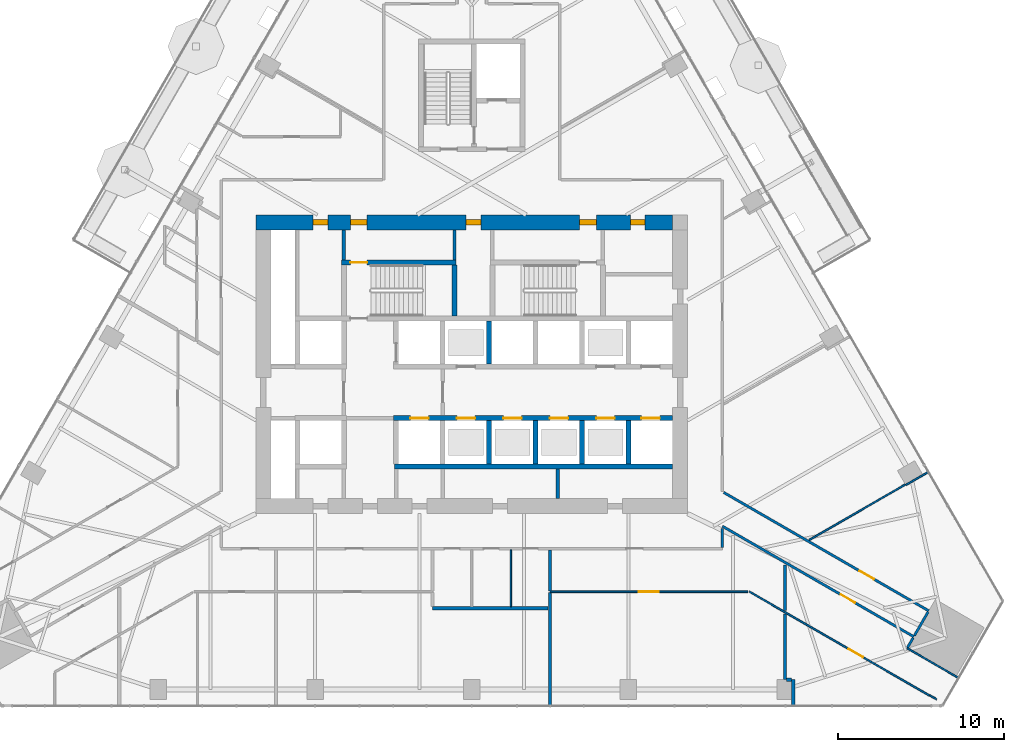
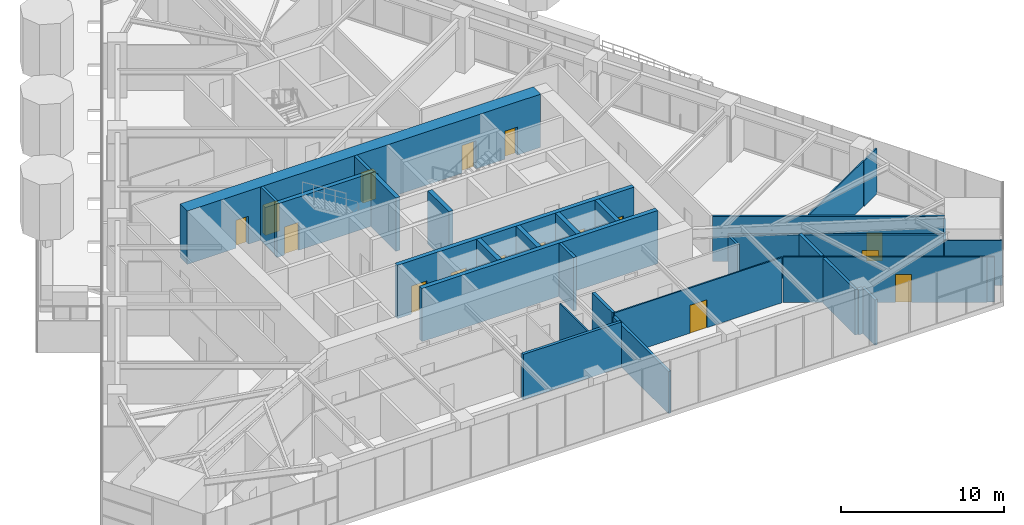
# One storey, part 18 of 25: 32 walls, 16 doors, 16 openings.
"""IFC4 building model written with IfcOpenShell, lengths in metres."""

import ifcopenshell
import ifcopenshell.guid

model = None  # the IFC model being written
_history = None  # IfcOwnerHistory: only IFC2X3 demands one
_inside = {}  # id of a spatial element -> (the spatial element, [elements in it])
_under = {}  # id of a project, library or spatial element -> (it, [spatial elements below it])
_declared = {}  # id of a project -> (the project, [libraries it declares])
_typed = {}  # id of a type object -> (the type object, [elements of that type])
_made_of = {}  # id of a material, layer set ... -> (it, [elements and type objects made of it])


def new_model(schema):
    """Start an empty IFC model of exactly this schema.

    Asked for "IFC4X3", IfcOpenShell would pick the latest addendum, in which some entities
    have other attributes; the version numbers below select the first issue.
    IFC2X3 requires an IfcOwnerHistory on every rooted entity: one is made here for all.
    """
    global model, _history
    if schema == "IFC4X3":
        model = ifcopenshell.file(schema_version=(4, 3, 0, 0))
    else:
        model = ifcopenshell.file(schema=schema)
    _inside.clear()
    _under.clear()
    _declared.clear()
    _typed.clear()
    _made_of.clear()
    _history = None
    if model.schema == "IFC2X3":
        org = make("IfcOrganization", Name="unknown")
        user = make(
            "IfcPersonAndOrganization",
            ThePerson=make("IfcPerson", FamilyName="unknown"),
            TheOrganization=org,
        )
        app = make(
            "IfcApplication",
            ApplicationDeveloper=org,
            Version="unknown",
            ApplicationFullName="unknown",
            ApplicationIdentifier="unknown",
        )
        _history = make(
            "IfcOwnerHistory",
            OwningUser=user,
            OwningApplication=app,
            ChangeAction="ADDED",
            CreationDate=0,
        )
    return model


def make(cls, **values):
    """One entity of the class cls with the attributes given. An attribute that is None is left unset."""
    return model.create_entity(
        cls, **{name: value for name, value in values.items() if value is not None}
    )


def rooted(cls, **values):
    """An entity with a GlobalId (a new one), such as an element, a storey or a relation."""
    return make(cls, GlobalId=ifcopenshell.guid.new(), OwnerHistory=_history, **values)


def si_unit(unit_type, name, prefix=None):
    """IfcSIUnit, for example si_unit("LENGTHUNIT", "METRE", prefix="MILLI")."""
    return make("IfcSIUnit", UnitType=unit_type, Prefix=prefix, Name=name)


def assignment(units):
    """IfcUnitAssignment: the units of a project."""
    return None if units is None else make("IfcUnitAssignment", Units=units)


def point(xyz):
    """IfcCartesianPoint."""
    return None if xyz is None else make("IfcCartesianPoint", Coordinates=xyz)


def direction(xyz):
    """IfcDirection."""
    return None if xyz is None else make("IfcDirection", DirectionRatios=xyz)


def frame(location, z_axis=None, x_axis=None):
    """IfcAxis2Placement3D, a coordinate frame: its origin and axes. An axis left out is left unset."""
    return make(
        "IfcAxis2Placement3D",
        Location=point(location),
        Axis=direction(z_axis),
        RefDirection=direction(x_axis),
    )


def frame_2d(location, x_axis=None):
    """IfcAxis2Placement2D, a coordinate frame in the plane: its origin and x axis."""
    return make(
        "IfcAxis2Placement2D", Location=point(location), RefDirection=direction(x_axis)
    )


def origin():
    """The frame at (0, 0, 0) with its axes left unset."""
    return frame((0.0, 0.0, 0.0))


def place(relative_to, where):
    """IfcLocalPlacement: puts the frame where relative to a parent placement (None: the world)."""
    return make(
        "IfcLocalPlacement", PlacementRelTo=relative_to, RelativePlacement=where
    )


def context(
    kind, dimensions, precision=None, world=None, true_north=None, identifier=None
):
    """IfcGeometricRepresentationContext, for example the 3D "Model" context."""
    return make(
        "IfcGeometricRepresentationContext",
        ContextIdentifier=identifier,
        ContextType=kind,
        CoordinateSpaceDimension=dimensions,
        Precision=precision,
        WorldCoordinateSystem=world,
        TrueNorth=true_north,
    )


def subcontext(parent, identifier, kind, view, scale=None):
    """IfcGeometricRepresentationSubContext, for example "Body" below "Model"."""
    return make(
        "IfcGeometricRepresentationSubContext",
        ContextIdentifier=identifier,
        ContextType=kind,
        ParentContext=parent,
        TargetScale=scale,
        TargetView=view,
    )


def project(units=None, contexts=None):
    """IfcProject with its units and contexts."""
    return rooted(
        "IfcProject",
        Name="project",
        RepresentationContexts=contexts,
        UnitsInContext=assignment(units),
    )


def spatial(cls, under=None, at=None, **own):
    """A site, building, storey or space (cls), placed at a placement, below another one or the project."""
    s = rooted(cls, ObjectPlacement=at, **own)
    if under is not None:
        _under.setdefault(under.id(), (under, []))[1].append(s)
    return s


def profile(cls, at=None, kind="AREA", **sizes):
    """A parametric profile (cls). Its sizes go by their IFC names, for example OverallWidth=200.0."""
    return make(cls, ProfileType=kind, Position=at, **sizes)


def rectangle(**sizes):
    """IfcRectangleProfileDef."""
    return profile("IfcRectangleProfileDef", **sizes)


def extrude(swept, where, along, depth):
    """IfcExtrudedAreaSolid: the profile swept, set in the frame where, extruded along a direction by depth."""
    return make(
        "IfcExtrudedAreaSolid",
        SweptArea=swept,
        Position=where,
        ExtrudedDirection=direction(along),
        Depth=depth,
    )


def shape(context_of_items, identifier, shape_type, items):
    """IfcShapeRepresentation: the items that make up one representation, for example the "Body"."""
    return make(
        "IfcShapeRepresentation",
        ContextOfItems=context_of_items,
        RepresentationIdentifier=identifier,
        RepresentationType=shape_type,
        Items=items,
    )


def material(Name=None, Category=None):
    """IfcMaterial."""
    return make("IfcMaterial", Name=Name, Category=Category)


def layer(
    of_material, thickness, ventilated=None, Name=None, Category=None, Priority=None
):
    """IfcMaterialLayer: one layer of a wall or slab, of a material (None: an air gap)."""
    return make(
        "IfcMaterialLayer",
        Material=of_material,
        LayerThickness=thickness,
        IsVentilated=ventilated,
        Name=Name,
        Category=Category,
        Priority=Priority,
    )


def layer_set(layers, Name=None):
    """IfcMaterialLayerSet."""
    return make("IfcMaterialLayerSet", MaterialLayers=layers, LayerSetName=Name)


def made_of(thing, what):
    """Note that an element or type object is made of a material, layer set ...; save() writes the relation."""
    if what is not None:
        _made_of.setdefault(what.id(), (what, []))[1].append(thing)
    return thing


def type_object(cls, material=None, **own):
    """A type object (cls), such as IfcWallType, which elements share."""
    return made_of(rooted(cls, **own), material)


def element(
    cls,
    number,
    at=None,
    inside=None,
    cuts=None,
    type_object=None,
    material=None,
    context=None,
    identifier="Body",
    shape_type=None,
    held_by="IfcProductDefinitionShape",
    body=None,
    shapes=None,
    **own,
):
    """One element of the class cls, such as IfcWall. Its Tag is "e" and its number.

    at: its placement. inside: the storey or other place that contains it. cuts: it is an
    opening in that element (IfcRelVoidsElement). A single representation is given by context,
    identifier, shape_type and body (its items); several are given by shapes. held_by: the class
    of the entity that holds the representations. save() writes the other relations.
    """
    e = rooted(cls, Tag="e%d" % number, ObjectPlacement=at, **own)
    if body is not None:
        shapes = [shape(context, identifier, shape_type, body)]
    if shapes is not None:
        e.Representation = make(held_by, Representations=shapes)
    if inside is not None:
        _inside.setdefault(inside.id(), (inside, []))[1].append(e)
    if cuts is not None:
        rooted(
            "IfcRelVoidsElement", RelatingBuildingElement=cuts, RelatedOpeningElement=e
        )
    if type_object is not None:
        _typed.setdefault(type_object.id(), (type_object, []))[1].append(e)
    return made_of(e, material)


def fill(opening, filler):
    """IfcRelFillsElement: the door or window that sits in an opening."""
    return rooted(
        "IfcRelFillsElement",
        RelatingOpeningElement=opening,
        RelatedBuildingElement=filler,
    )


def aggregate(whole, parts):
    """IfcRelAggregates: a whole, such as a stair, and the parts it consists of."""
    return rooted("IfcRelAggregates", RelatingObject=whole, RelatedObjects=parts)


def save(model, path):
    """Write the relations noted so far, then the file.

    IfcRelAggregates (storeys below a building ...), IfcRelContainedInSpatialStructure (elements
    in a storey), IfcRelDefinesByType, IfcRelAssociatesMaterial and IfcRelDeclares: one each for
    every whole, place, type object, material and project.
    """
    for whole, parts in _under.values():
        aggregate(whole, parts)
    for where, things in _inside.values():
        rooted(
            "IfcRelContainedInSpatialStructure",
            RelatedElements=things,
            RelatingStructure=where,
        )
    for kind, things in _typed.values():
        rooted("IfcRelDefinesByType", RelatedObjects=things, RelatingType=kind)
    for what, things in _made_of.values():
        rooted("IfcRelAssociatesMaterial", RelatedObjects=things, RelatingMaterial=what)
    for by, libraries in _declared.values():
        rooted("IfcRelDeclares", RelatingContext=by, RelatedDefinitions=libraries)
    model.write(path)


model = new_model("IFC4")

# Units and contexts
model_context = context("Model", 3, precision=1e-05, world=origin(), true_north=direction((0.0, 1.0)))
body_context = subcontext(model_context, "Body", "Model", "MODEL_VIEW")
ifc_project = project(units=[si_unit("LENGTHUNIT", "METRE"), si_unit("AREAUNIT", "SQUARE_METRE"), si_unit("VOLUMEUNIT", "CUBIC_METRE"), si_unit("PLANEANGLEUNIT", "RADIAN"), si_unit("MASSUNIT", "GRAM", prefix="KILO")], contexts=[model_context])

# Site, building, storey
site_placement = place(None, origin())
site = spatial("IfcSite", under=ifc_project, at=site_placement, CompositionType="ELEMENT")
building_placement = place(site_placement, origin())
building = spatial("IfcBuilding", under=site, at=building_placement, Name="Firuza Gate Tower and Library", CompositionType="ELEMENT")
storey_placement = place(building_placement, frame((0.0, 0.0, 86.199951171875)))
storey = spatial("IfcBuildingStorey", under=building, at=storey_placement, Name="L19", CompositionType="ELEMENT", Elevation=86.199951171875)

# Walls
ifc_material_1 = material(Name="Plasterboard on steel studs", Category="steel")
ifc_layer_1 = layer(ifc_material_1, 0.199951171875)
ifc_layer_set_1 = layer_set([ifc_layer_1], Name="Core partition 200 EI 120")
wall_type_1 = type_object("IfcWallType", Name="Core partition 200 EI 120", PredefinedType="PARTITIONING", material=ifc_layer_set_1)
wall_1_placement = place(storey_placement, frame((80.175048828125, 66.89990234375, 0.0), z_axis=(0.0, 0.0, 1.0), x_axis=(0.0, 1.0, 0.0)))
element("IfcWall", 1, at=wall_1_placement, inside=storey, type_object=wall_type_1, Name="Core partition L19 15", PredefinedType="PARTITIONING", context=body_context, shape_type="SweptSolid", body=[
    extrude(rectangle(XDim=1.800048828125, YDim=0.199951171875, at=frame_2d((0.89990234375, 0.0))), origin(), (0.0, 0.0, 1.0), 4.0),
])
ifc_material_2 = material(Name="Plasterboard on steel studs", Category="steel")
ifc_layer_2 = layer(ifc_material_2, 0.199951171875)
ifc_layer_set_2 = layer_set([ifc_layer_2], Name="Core partition 200 EI 60")
wall_type_2 = type_object("IfcWallType", Name="Core partition 200 EI 60", PredefinedType="PARTITIONING", material=ifc_layer_set_2)
for number, where, z_axis, x_axis, name in (
    (2, (67.300048828125, 81.280029296875, 0.0), (0.0, 0.0, 1.0), (0.0, 1.0, 0.0), "Core partition L19 9"),
    (3, (73.9599609375, 81.280029296875, 0.0), (0.0, 0.0, 1.0), (0.0, 1.0, 0.0), "Core partition L19 13"),
):
    element("IfcWall", number, at=place(storey_placement, frame(where, z_axis=z_axis, x_axis=x_axis)), inside=storey, type_object=wall_type_2, Name=name, PredefinedType="PARTITIONING", context=body_context, shape_type="SweptSolid", body=[
        extrude(rectangle(XDim=1.820068359375, YDim=0.199951171875, at=frame_2d((0.91015625, 0.0))), origin(), (0.0, 0.0, 1.0), 4.0),
    ])
ifc_material_3 = material(Name="Concrete C80/95", Category="concrete")
ifc_layer_3 = layer(ifc_material_3, 0.300048828125)
ifc_layer_set_3 = layer_set([ifc_layer_3], Name="Core wall 300 C80/95")
wall_type_3 = type_object("IfcWallType", Name="Core wall 300 C80/95", PredefinedType="SHEAR", material=ifc_layer_set_3)
wall_2_placement = place(storey_placement, frame((70.35009765625, 68.85009765625, 0.0), z_axis=(0.0, 0.0, 1.0), x_axis=(1.0, 0.0, 0.0)))
element("IfcWall", 4, at=wall_2_placement, inside=storey, type_object=wall_type_3, Name="Core wall L19 6", PredefinedType="SHEAR", context=body_context, shape_type="SweptSolid", body=[
    extrude(rectangle(XDim=16.75, YDim=0.300048828125, at=frame_2d((8.375, 0.0))), origin(), (0.0, 0.0, 1.0), 4.0),
])

# Wall, openings, doors
wall_3_placement = place(storey_placement, frame((70.300048828125, 71.75, 0.0), z_axis=(0.0, 0.0, 1.0), x_axis=(1.0, 0.0, 0.0)))
wall_3 = element("IfcWall", 5, at=wall_3_placement, inside=storey, type_object=wall_type_3, Name="Core wall L19 8", PredefinedType="SHEAR", context=body_context, shape_type="SweptSolid", body=[
    extrude(rectangle(XDim=16.800048828125, YDim=0.300048828125, at=frame_2d((8.39990234375, 0.0))), origin(), (0.0, 0.0, 1.0), 4.0),
])
opening_1_placement = place(wall_3_placement, frame((1.0, 0.0, 0.0)))
opening_1 = element("IfcOpeningElement", 6, at=opening_1_placement, cuts=wall_3, Name="Opening LD-FF1-L19", PredefinedType="OPENING", context=body_context, shape_type="SweptSolid", body=[
    extrude(rectangle(XDim=1.10009765625, YDim=2.10009765625, at=frame_2d((0.550048828125, 1.050048828125))), frame((0.0, 0.16015625, 0.0), z_axis=(0.0, -1.0, 0.0), x_axis=(1.0, 0.0, 0.0)), (0.0, 0.0, 1.0), 0.320068359375),
])
opening_2_placement = place(wall_3_placement, frame((3.800048828125, 0.0, 0.0)))
opening_2 = element("IfcOpeningElement", 7, at=opening_2_placement, cuts=wall_3, Name="Opening LD-LR1-L19", PredefinedType="OPENING", context=body_context, shape_type="SweptSolid", body=[
    extrude(rectangle(XDim=1.10009765625, YDim=2.10009765625, at=frame_2d((0.550048828125, 1.050048828125))), frame((0.0, 0.16015625, 0.0), z_axis=(0.0, -1.0, 0.0), x_axis=(1.0, 0.0, 0.0)), (0.0, 0.0, 1.0), 0.320068359375),
])
opening_3_placement = place(wall_3_placement, frame((6.60009765625, 0.0, 0.0)))
opening_3 = element("IfcOpeningElement", 8, at=opening_3_placement, cuts=wall_3, Name="Opening LD-LR2-L19", PredefinedType="OPENING", context=body_context, shape_type="SweptSolid", body=[
    extrude(rectangle(XDim=1.10009765625, YDim=2.10009765625, at=frame_2d((0.550048828125, 1.050048828125))), frame((0.0, 0.16015625, 0.0), z_axis=(0.0, -1.0, 0.0), x_axis=(1.0, 0.0, 0.0)), (0.0, 0.0, 1.0), 0.320068359375),
])
opening_4_placement = place(wall_3_placement, frame((9.39990234375, 0.0, 0.0)))
opening_4 = element("IfcOpeningElement", 9, at=opening_4_placement, cuts=wall_3, Name="Opening LD-LR3-L19", PredefinedType="OPENING", context=body_context, shape_type="SweptSolid", body=[
    extrude(rectangle(XDim=1.10009765625, YDim=2.10009765625, at=frame_2d((0.550048828125, 1.050048828125))), frame((0.0, 0.16015625, 0.0), z_axis=(0.0, -1.0, 0.0), x_axis=(1.0, 0.0, 0.0)), (0.0, 0.0, 1.0), 0.320068359375),
])
opening_5_placement = place(wall_3_placement, frame((12.199951171875, 0.0, 0.0)))
opening_5 = element("IfcOpeningElement", 10, at=opening_5_placement, cuts=wall_3, Name="Opening LD-LR5-L19", PredefinedType="OPENING", context=body_context, shape_type="SweptSolid", body=[
    extrude(rectangle(XDim=1.10009765625, YDim=2.10009765625, at=frame_2d((0.550048828125, 1.050048828125))), frame((0.0, 0.16015625, 0.0), z_axis=(0.0, -1.0, 0.0), x_axis=(1.0, 0.0, 0.0)), (0.0, 0.0, 1.0), 0.320068359375),
])
opening_6_placement = place(wall_3_placement, frame((14.925048828125, 0.0, 0.0)))
opening_6 = element("IfcOpeningElement", 11, at=opening_6_placement, cuts=wall_3, Name="Opening LD-LR7-L19", PredefinedType="OPENING", context=body_context, shape_type="SweptSolid", body=[
    extrude(rectangle(XDim=1.10009765625, YDim=2.10009765625, at=frame_2d((0.550048828125, 1.050048828125))), frame((0.0, 0.16015625, 0.0), z_axis=(0.0, -1.0, 0.0), x_axis=(1.0, 0.0, 0.0)), (0.0, 0.0, 1.0), 0.320068359375),
])
ifc_material_4 = material(Name="Stainless steel", Category="steel")
door_type_1 = type_object("IfcDoorType", Name="Lift landing door 1100x2100", OperationType="DOUBLE_DOOR_SLIDING", PredefinedType="DOOR", material=ifc_material_4)
door_1_placement = place(opening_1_placement, origin())
door_1 = element("IfcDoor", 12, at=door_1_placement, inside=storey, type_object=door_type_1, Name="Landing door FF1 L19", OperationType="DOUBLE_DOOR_SLIDING", OverallHeight=2.10009765625, OverallWidth=1.10009765625, PredefinedType="DOOR", context=body_context, shape_type="SweptSolid", body=[
    extrude(rectangle(XDim=1.10009765625, YDim=2.10009765625, at=frame_2d((0.550048828125, 1.050048828125))), frame((0.0, 0.02490234375, 0.0), z_axis=(0.0, -1.0, 0.0), x_axis=(1.0, 0.0, 0.0)), (0.0, 0.0, 1.0), 0.050048828125),
])
fill(opening_1, door_1)
door_2_placement = place(opening_2_placement, origin())
door_2 = element("IfcDoor", 13, at=door_2_placement, inside=storey, type_object=door_type_1, Name="Landing door LR1 L19", OperationType="DOUBLE_DOOR_SLIDING", OverallHeight=2.10009765625, OverallWidth=1.10009765625, PredefinedType="DOOR", context=body_context, shape_type="SweptSolid", body=[
    extrude(rectangle(XDim=1.10009765625, YDim=2.10009765625, at=frame_2d((0.550048828125, 1.050048828125))), frame((0.0, 0.02490234375, 0.0), z_axis=(0.0, -1.0, 0.0), x_axis=(1.0, 0.0, 0.0)), (0.0, 0.0, 1.0), 0.050048828125),
])
fill(opening_2, door_2)
door_3_placement = place(opening_3_placement, origin())
door_3 = element("IfcDoor", 14, at=door_3_placement, inside=storey, type_object=door_type_1, Name="Landing door LR2 L19", OperationType="DOUBLE_DOOR_SLIDING", OverallHeight=2.10009765625, OverallWidth=1.10009765625, PredefinedType="DOOR", context=body_context, shape_type="SweptSolid", body=[
    extrude(rectangle(XDim=1.10009765625, YDim=2.10009765625, at=frame_2d((0.550048828125, 1.050048828125))), frame((0.0, 0.02490234375, 0.0), z_axis=(0.0, -1.0, 0.0), x_axis=(1.0, 0.0, 0.0)), (0.0, 0.0, 1.0), 0.050048828125),
])
fill(opening_3, door_3)
door_4_placement = place(opening_4_placement, origin())
door_4 = element("IfcDoor", 15, at=door_4_placement, inside=storey, type_object=door_type_1, Name="Landing door LR3 L19", OperationType="DOUBLE_DOOR_SLIDING", OverallHeight=2.10009765625, OverallWidth=1.10009765625, PredefinedType="DOOR", context=body_context, shape_type="SweptSolid", body=[
    extrude(rectangle(XDim=1.10009765625, YDim=2.10009765625, at=frame_2d((0.550048828125, 1.050048828125))), frame((0.0, 0.02490234375, 0.0), z_axis=(0.0, -1.0, 0.0), x_axis=(1.0, 0.0, 0.0)), (0.0, 0.0, 1.0), 0.050048828125),
])
fill(opening_4, door_4)
door_5_placement = place(opening_5_placement, origin())
door_5 = element("IfcDoor", 16, at=door_5_placement, inside=storey, type_object=door_type_1, Name="Landing door LR5 L19", OperationType="DOUBLE_DOOR_SLIDING", OverallHeight=2.10009765625, OverallWidth=1.10009765625, PredefinedType="DOOR", context=body_context, shape_type="SweptSolid", body=[
    extrude(rectangle(XDim=1.10009765625, YDim=2.10009765625, at=frame_2d((0.550048828125, 1.050048828125))), frame((0.0, 0.02490234375, 0.0), z_axis=(0.0, -1.0, 0.0), x_axis=(1.0, 0.0, 0.0)), (0.0, 0.0, 1.0), 0.050048828125),
])
fill(opening_5, door_5)
door_6_placement = place(opening_6_placement, origin())
door_6 = element("IfcDoor", 17, at=door_6_placement, inside=storey, type_object=door_type_1, Name="Landing door LR7 L19", OperationType="DOUBLE_DOOR_SLIDING", OverallHeight=2.10009765625, OverallWidth=1.10009765625, PredefinedType="DOOR", context=body_context, shape_type="SweptSolid", body=[
    extrude(rectangle(XDim=1.10009765625, YDim=2.10009765625, at=frame_2d((0.550048828125, 1.050048828125))), frame((0.0, 0.02490234375, 0.0), z_axis=(0.0, -1.0, 0.0), x_axis=(1.0, 0.0, 0.0)), (0.0, 0.0, 1.0), 0.050048828125),
])
fill(opening_6, door_6)

# Walls
for number, where, z_axis, x_axis, name in (
    (18, (76.050048828125, 69.0, 0.0), (0.0, 0.0, 1.0), (0.0, 1.0, 0.0), "Core wall L19 19"),
    (19, (76.050048828125, 75.0, 0.0), (0.0, 0.0, 1.0), (0.0, 1.0, 0.0), "Core wall L19 20"),
    (20, (78.85009765625, 69.0, 0.0), (0.0, 0.0, 1.0), (0.0, 1.0, 0.0), "Core wall L19 21"),
    (21, (81.64990234375, 69.0, 0.0), (0.0, 0.0, 1.0), (0.0, 1.0, 0.0), "Core wall L19 23"),
    (22, (84.449951171875, 69.0, 0.0), (0.0, 0.0, 1.0), (0.0, 1.0, 0.0), "Core wall L19 25"),
):
    element("IfcWall", number, at=place(storey_placement, frame(where, z_axis=z_axis, x_axis=x_axis)), inside=storey, type_object=wall_type_3, Name=name, PredefinedType="SHEAR", context=body_context, shape_type="SweptSolid", body=[
        extrude(rectangle(XDim=2.60009765625, YDim=0.300048828125, at=frame_2d((1.300048828125, 0.0))), origin(), (0.0, 0.0, 1.0), 4.0),
    ])

# Wall, opening, door
wall_4_placement = place(storey_placement, frame((67.14990234375, 81.1298828125, 0.0), z_axis=(0.0, 0.0, 1.0), x_axis=(1.0, 0.0, 0.0)))
wall_4 = element("IfcWall", 23, at=wall_4_placement, inside=storey, type_object=wall_type_3, Name="Core wall L19 28", PredefinedType="SHEAR", context=body_context, shape_type="SweptSolid", body=[
    extrude(rectangle(XDim=6.91015625, YDim=0.300048828125, at=frame_2d((3.455078125, 0.0))), origin(), (0.0, 0.0, 1.0), 4.0),
])
opening_7_placement = place(wall_4_placement, frame((0.544921875, 0.0, 0.0)))
opening_7 = element("IfcOpeningElement", 24, at=opening_7_placement, cuts=wall_4, Name="Opening L19-K13", PredefinedType="OPENING", context=body_context, shape_type="SweptSolid", body=[
    extrude(rectangle(XDim=1.0, YDim=2.10009765625, at=frame_2d((0.5, 1.050048828125))), frame((0.0, 0.16015625, 0.0), z_axis=(0.0, -1.0, 0.0), x_axis=(1.0, 0.0, 0.0)), (0.0, 0.0, 1.0), 0.320068359375),
])
ifc_material_5 = material(Name="Steel", Category="steel")
door_type_2 = type_object("IfcDoorType", Name="Fire door 1000x2100 FD90", OperationType="NOTDEFINED", PredefinedType="DOOR", material=ifc_material_5)
door_7_placement = place(opening_7_placement, origin())
door_7 = element("IfcDoor", 25, at=door_7_placement, inside=storey, type_object=door_type_2, Name="Door L19-K13", OperationType="SINGLE_SWING_RIGHT", OverallHeight=2.10009765625, OverallWidth=1.0, PredefinedType="DOOR", context=body_context, shape_type="SweptSolid", body=[
    extrude(rectangle(XDim=1.0, YDim=2.10009765625, at=frame_2d((0.5, 1.050048828125))), frame((0.0, 0.02490234375, 0.0), z_axis=(0.0, -1.0, 0.0), x_axis=(1.0, 0.0, 0.0)), (0.0, 0.0, 1.0), 0.050048828125),
])
fill(opening_7, door_7)

# Wall
wall_5_placement = place(storey_placement, frame((73.9599609375, 77.89990234375, 0.0), z_axis=(0.0, 0.0, 1.0), x_axis=(0.0, 1.0, 0.0)))
element("IfcWall", 26, at=wall_5_placement, inside=storey, type_object=wall_type_3, Name="Core wall L19 31", PredefinedType="SHEAR", context=body_context, shape_type="SweptSolid", body=[
    extrude(rectangle(XDim=3.080078125, YDim=0.300048828125, at=frame_2d((1.5400390625, 0.0))), origin(), (0.0, 0.0, 1.0), 4.0),
])

# Wall, openings, doors
ifc_material_6 = material(Name="Concrete C80/95", Category="concrete")
ifc_layer_4 = layer(ifc_material_6, 0.89990234375)
ifc_layer_set_4 = layer_set([ifc_layer_4], Name="Core wall 900 C80/95")
wall_type_4 = type_object("IfcWallType", Name="Core wall 900 C80/95", PredefinedType="SHEAR", material=ifc_layer_set_4)
wall_6_placement = place(storey_placement, frame((62.0, 83.550048828125, 0.0), z_axis=(0.0, 0.0, 1.0), x_axis=(1.0, 0.0, 0.0)))
wall_6 = element("IfcWall", 27, at=wall_6_placement, inside=storey, type_object=wall_type_4, Name="Core wall L19 2", PredefinedType="SHEAR", context=body_context, shape_type="SweptSolid", body=[
    extrude(rectangle(XDim=25.10009765625, YDim=0.89990234375, at=frame_2d((12.550048828125, 0.0))), origin(), (0.0, 0.0, 1.0), 4.0),
])
opening_8_placement = place(wall_6_placement, frame((5.695068359375, 0.0, 0.0)))
opening_8 = element("IfcOpeningElement", 28, at=opening_8_placement, cuts=wall_6, Name="Opening L19-K14", PredefinedType="OPENING", context=body_context, shape_type="SweptSolid", body=[
    extrude(rectangle(XDim=1.0, YDim=2.10009765625, at=frame_2d((0.5, 1.050048828125))), frame((0.0, 0.4599609375, 0.0), z_axis=(0.0, -1.0, 0.0), x_axis=(1.0, 0.0, 0.0)), (0.0, 0.0, 1.0), 0.919921875),
])
opening_9_placement = place(wall_6_placement, frame((19.5048828125, 0.0, 0.0)))
opening_9 = element("IfcOpeningElement", 29, at=opening_9_placement, cuts=wall_6, Name="Opening L19-K16", PredefinedType="OPENING", context=body_context, shape_type="SweptSolid", body=[
    extrude(rectangle(XDim=1.0, YDim=2.10009765625, at=frame_2d((0.5, 1.050048828125))), frame((0.0, 0.4599609375, 0.0), z_axis=(0.0, -1.0, 0.0), x_axis=(1.0, 0.0, 0.0)), (0.0, 0.0, 1.0), 0.919921875),
])
opening_10_placement = place(wall_6_placement, frame((3.449951171875, 0.0, 0.0)))
opening_10 = element("IfcOpeningElement", 30, at=opening_10_placement, cuts=wall_6, Name="Opening L19-K29", PredefinedType="OPENING", context=body_context, shape_type="SweptSolid", body=[
    extrude(rectangle(XDim=0.89990234375, YDim=2.10009765625, at=frame_2d((0.449951171875, 1.050048828125))), frame((0.0, 0.4599609375, 0.0), z_axis=(0.0, -1.0, 0.0), x_axis=(1.0, 0.0, 0.0)), (0.0, 0.0, 1.0), 0.919921875),
])
opening_11_placement = place(wall_6_placement, frame((12.64990234375, 0.0, 0.0)))
opening_11 = element("IfcOpeningElement", 31, at=opening_11_placement, cuts=wall_6, Name="Opening L19-K30", PredefinedType="OPENING", context=body_context, shape_type="SweptSolid", body=[
    extrude(rectangle(XDim=0.89990234375, YDim=2.10009765625, at=frame_2d((0.449951171875, 1.050048828125))), frame((0.0, 0.4599609375, 0.0), z_axis=(0.0, -1.0, 0.0), x_axis=(1.0, 0.0, 0.0)), (0.0, 0.0, 1.0), 0.919921875),
])
opening_12_placement = place(wall_6_placement, frame((22.550048828125, 0.0, 0.0)))
opening_12 = element("IfcOpeningElement", 32, at=opening_12_placement, cuts=wall_6, Name="Opening L19-K32", PredefinedType="OPENING", context=body_context, shape_type="SweptSolid", body=[
    extrude(rectangle(XDim=0.89990234375, YDim=2.10009765625, at=frame_2d((0.449951171875, 1.050048828125))), frame((0.0, 0.4599609375, 0.0), z_axis=(0.0, -1.0, 0.0), x_axis=(1.0, 0.0, 0.0)), (0.0, 0.0, 1.0), 0.919921875),
])
door_8_placement = place(opening_8_placement, origin())
door_8 = element("IfcDoor", 33, at=door_8_placement, inside=storey, type_object=door_type_2, Name="Door L19-K14", OperationType="SINGLE_SWING_LEFT", OverallHeight=2.10009765625, OverallWidth=1.0, PredefinedType="DOOR", context=body_context, shape_type="SweptSolid", body=[
    extrude(rectangle(XDim=1.0, YDim=2.10009765625, at=frame_2d((0.5, 1.050048828125))), frame((0.0, 0.169921875, 0.0), z_axis=(0.0, -1.0, 0.0), x_axis=(1.0, 0.0, 0.0)), (0.0, 0.0, 1.0), 0.33984375),
])
fill(opening_8, door_8)
door_9_placement = place(opening_9_placement, origin())
door_9 = element("IfcDoor", 34, at=door_9_placement, inside=storey, type_object=door_type_2, Name="Door L19-K16", OperationType="SINGLE_SWING_LEFT", OverallHeight=2.10009765625, OverallWidth=1.0, PredefinedType="DOOR", context=body_context, shape_type="SweptSolid", body=[
    extrude(rectangle(XDim=1.0, YDim=2.10009765625, at=frame_2d((0.5, 1.050048828125))), frame((0.0, 0.169921875, 0.0), z_axis=(0.0, -1.0, 0.0), x_axis=(1.0, 0.0, 0.0)), (0.0, 0.0, 1.0), 0.33984375),
])
fill(opening_9, door_9)
ifc_material_7 = material(Name="Steel", Category="steel")
door_type_3 = type_object("IfcDoorType", Name="Fire door 900x2100 FD30S", OperationType="NOTDEFINED", PredefinedType="DOOR", material=ifc_material_7)
door_10_placement = place(opening_10_placement, origin())
door_10 = element("IfcDoor", 35, at=door_10_placement, inside=storey, type_object=door_type_3, Name="Door L19-K29", OperationType="SINGLE_SWING_RIGHT", OverallHeight=2.10009765625, OverallWidth=0.89990234375, PredefinedType="DOOR", context=body_context, shape_type="SweptSolid", body=[
    extrude(rectangle(XDim=0.89990234375, YDim=2.10009765625, at=frame_2d((0.449951171875, 1.050048828125))), frame((0.0, 0.169921875, 0.0), z_axis=(0.0, -1.0, 0.0), x_axis=(1.0, 0.0, 0.0)), (0.0, 0.0, 1.0), 0.33984375),
])
fill(opening_10, door_10)
door_11_placement = place(opening_11_placement, origin())
door_11 = element("IfcDoor", 36, at=door_11_placement, inside=storey, type_object=door_type_3, Name="Door L19-K30", OperationType="SINGLE_SWING_LEFT", OverallHeight=2.10009765625, OverallWidth=0.89990234375, PredefinedType="DOOR", context=body_context, shape_type="SweptSolid", body=[
    extrude(rectangle(XDim=0.89990234375, YDim=2.10009765625, at=frame_2d((0.449951171875, 1.050048828125))), frame((0.0, 0.169921875, 0.0), z_axis=(0.0, -1.0, 0.0), x_axis=(1.0, 0.0, 0.0)), (0.0, 0.0, 1.0), 0.33984375),
])
fill(opening_11, door_11)
door_12_placement = place(opening_12_placement, origin())
door_12 = element("IfcDoor", 37, at=door_12_placement, inside=storey, type_object=door_type_3, Name="Door L19-K32", OperationType="SINGLE_SWING_LEFT", OverallHeight=2.10009765625, OverallWidth=0.89990234375, PredefinedType="DOOR", context=body_context, shape_type="SweptSolid", body=[
    extrude(rectangle(XDim=0.89990234375, YDim=2.10009765625, at=frame_2d((0.449951171875, 1.050048828125))), frame((0.0, 0.169921875, 0.0), z_axis=(0.0, -1.0, 0.0), x_axis=(1.0, 0.0, 0.0)), (0.0, 0.0, 1.0), 0.33984375),
])
fill(opening_12, door_12)

# Walls
ifc_material_8 = material(Name="Gypsum board partition")
ifc_layer_5 = layer(ifc_material_8, 0.14990234375)
ifc_layer_set_5 = layer_set([ifc_layer_5], Name="Corridor wall 150 double board on steel studs")
wall_type_5 = type_object("IfcWallType", Name="Corridor wall 150 double board on steel studs", PredefinedType="PARTITIONING", material=ifc_layer_set_5)
wall_7_placement = place(storey_placement, frame((101.25244140625, 57.9384765625, 0.0), z_axis=(0.0, 0.0, 1.0), x_axis=(0.500108776725, 0.865962592404, 0.0)))
element("IfcWall", 38, at=wall_7_placement, inside=storey, type_object=wall_type_5, Name="f:L19:w027", PredefinedType="PARTITIONING", context=body_context, shape_type="SweptSolid", body=[
    extrude(rectangle(XDim=0.674560546875, YDim=0.14990234375, at=frame_2d((0.33740234375, 0.0))), origin(), (0.0, 0.0, 1.0), 3.400146484375),
])
wall_8_placement = place(storey_placement, frame((90.10009765625, 63.97509765625, 0.0), z_axis=(0.0, 0.0, 1.0), x_axis=(0.0, 1.0, 0.0)))
element("IfcWall", 39, at=wall_8_placement, inside=storey, type_object=wall_type_5, Name="f:L19:w033", PredefinedType="PARTITIONING", context=body_context, shape_type="SweptSolid", body=[
    extrude(rectangle(XDim=1.131103515625, YDim=0.14990234375, at=frame_2d((0.5654296875, 0.0))), origin(), (0.0, 0.0, 1.0), 3.2470703125),
])

# Wall, opening, door
wall_9_placement = place(storey_placement, frame((90.175048828125, 67.278076171875, 0.0), z_axis=(0.0, 0.0, 1.0), x_axis=(0.866024530411, -0.500001512725, 0.0)))
wall_9 = element("IfcWall", 40, at=wall_9_placement, inside=storey, type_object=wall_type_5, Name="f:L19:w063", PredefinedType="PARTITIONING", context=body_context, shape_type="SweptSolid", body=[
    extrude(rectangle(XDim=14.2626953125, YDim=0.14990234375, at=frame_2d((7.13134765625, 0.0))), origin(), (0.0, 0.0, 1.0), 3.400146484375),
])
opening_13_placement = place(wall_9_placement, frame((9.44970703125, 0.0, 0.0)))
opening_13 = element("IfcOpeningElement", 41, at=opening_13_placement, cuts=wall_9, Name="Opening L19-30", PredefinedType="OPENING", context=body_context, shape_type="SweptSolid", body=[
    extrude(rectangle(XDim=1.0, YDim=2.10009765625, at=frame_2d((0.5, 1.050048828125))), frame((0.0, 0.0849609375, 0.0), z_axis=(0.0, -1.0, 0.0), x_axis=(1.0, 0.0, 0.0)), (0.0, 0.0, 1.0), 0.169921875),
])
ifc_material_9 = material(Name="Steel door and timber leaf", Category="steel")
door_type_4 = type_object("IfcDoorType", Name="Fire door 1000 x 2100 steel frame, timber leaf", OperationType="NOTDEFINED", PredefinedType="DOOR", material=ifc_material_9)
door_13_placement = place(opening_13_placement, origin())
door_13 = element("IfcDoor", 42, at=door_13_placement, inside=storey, type_object=door_type_4, Name="f:L19:d030", OperationType="SINGLE_SWING_RIGHT", OverallHeight=2.10009765625, OverallWidth=1.0, PredefinedType="DOOR", context=body_context, shape_type="SweptSolid", body=[
    extrude(rectangle(XDim=1.0, YDim=2.10009765625, at=frame_2d((0.5, 1.050048828125))), frame((0.0, 0.02490234375, 0.0), z_axis=(0.0, -1.0, 0.0), x_axis=(1.0, 0.0, 0.0)), (0.0, 0.0, 1.0), 0.050048828125),
])
fill(opening_13, door_13)

wall_10_placement = place(storey_placement, frame((101.626953125, 58.587890625, 0.0), z_axis=(0.0, 0.0, 1.0), x_axis=(-0.866025527764, 0.499999785261, 0.0)))
wall_10 = element("IfcWall", 43, at=wall_10_placement, inside=storey, type_object=wall_type_5, Name="f:L19:w066", PredefinedType="PARTITIONING", context=body_context, shape_type="SweptSolid", body=[
    extrude(rectangle(XDim=13.31005859375, YDim=0.14990234375, at=frame_2d((6.655029296875, 0.0))), origin(), (0.0, 0.0, 1.0), 3.2470703125),
])
opening_14_placement = place(wall_10_placement, frame((4.07861328125, 0.0, 0.0)))
opening_14 = element("IfcOpeningElement", 44, at=opening_14_placement, cuts=wall_10, Name="Opening L19-31", PredefinedType="OPENING", context=body_context, shape_type="SweptSolid", body=[
    extrude(rectangle(XDim=1.0, YDim=2.10009765625, at=frame_2d((0.5, 1.050048828125))), frame((0.0, 0.0849609375, 0.0), z_axis=(0.0, -1.0, 0.0), x_axis=(1.0, 0.0, 0.0)), (0.0, 0.0, 1.0), 0.169921875),
])
door_14_placement = place(opening_14_placement, origin())
door_14 = element("IfcDoor", 45, at=door_14_placement, inside=storey, type_object=door_type_4, Name="f:L19:d031", OperationType="SINGLE_SWING_RIGHT", OverallHeight=2.10009765625, OverallWidth=1.0, PredefinedType="DOOR", context=body_context, shape_type="SweptSolid", body=[
    extrude(rectangle(XDim=1.0, YDim=2.10009765625, at=frame_2d((0.5, 1.050048828125))), frame((0.0, 0.02490234375, 0.0), z_axis=(0.0, -1.0, 0.0), x_axis=(1.0, 0.0, 0.0)), (0.0, 0.0, 1.0), 0.050048828125),
])
fill(opening_14, door_14)

# Walls
wall_11_placement = place(storey_placement, frame((101.664794921875, 58.652587890625, 0.0), z_axis=(0.0, 0.0, 1.0), x_axis=(0.499991515992, 0.866030301974, 0.0)))
element("IfcWall", 46, at=wall_11_placement, inside=storey, type_object=wall_type_5, Name="f:L19:w080", PredefinedType="PARTITIONING", context=body_context, shape_type="SweptSolid", body=[
    extrude(rectangle(XDim=1.6494140625, YDim=0.14990234375, at=frame_2d((0.82470703125, 0.0))), origin(), (0.0, 0.0, 1.0), 3.2470703125),
])
ifc_material_10 = material(Name="Gypsum board partition")
ifc_layer_6 = layer(ifc_material_10, 0.199951171875)
ifc_layer_set_6 = layer_set([ifc_layer_6], Name="Demising wall 200 acoustic double stud")
wall_type_6 = type_object("IfcWallType", Name="Demising wall 200 acoustic double stud", PredefinedType="PARTITIONING", material=ifc_layer_set_6)
wall_12_placement = place(storey_placement, frame((93.972412109375, 55.9990234375, 0.0), z_axis=(0.0, 0.0, 1.0), x_axis=(1.0, 0.0, 0.0)))
element("IfcWall", 47, at=wall_12_placement, inside=storey, type_object=wall_type_6, Name="f:L19:w000", PredefinedType="PARTITIONING", context=body_context, shape_type="SweptSolid", body=[
    extrude(rectangle(XDim=0.29931640625, YDim=0.199951171875, at=frame_2d((0.149658203125, 0.0))), origin(), (0.0, 0.0, 1.0), 3.400146484375),
])
wall_13_placement = place(storey_placement, frame((72.640869140625, 60.300048828125, 0.0), z_axis=(0.0, 0.0, 1.0), x_axis=(1.0, 0.0, 0.0)))
element("IfcWall", 48, at=wall_13_placement, inside=storey, type_object=wall_type_6, Name="f:L19:w001", PredefinedType="PARTITIONING", context=body_context, shape_type="SweptSolid", body=[
    extrude(rectangle(XDim=6.96728515625, YDim=0.199951171875, at=frame_2d((3.483642578125, 0.0))), origin(), (0.0, 0.0, 1.0), 3.400146484375),
])
wall_14_placement = place(storey_placement, frame((94.3720703125, 54.439208984375, 0.0), z_axis=(0.0, 0.0, 1.0), x_axis=(0.0, 1.0, 0.0)))
element("IfcWall", 49, at=wall_14_placement, inside=storey, type_object=wall_type_6, Name="f:L19:w031", PredefinedType="PARTITIONING", context=body_context, shape_type="SweptSolid", body=[
    extrude(rectangle(XDim=1.5595703125, YDim=0.199951171875, at=frame_2d((0.77978515625, 0.0))), origin(), (0.0, 0.0, 1.0), 3.400146484375),
])
wall_15_placement = place(storey_placement, frame((93.8720703125, 55.999267578125, 0.0), z_axis=(0.0, 0.0, 1.0), x_axis=(0.0, 1.0, 0.0)))
element("IfcWall", 50, at=wall_15_placement, inside=storey, type_object=wall_type_6, Name="f:L19:w032", PredefinedType="PARTITIONING", context=body_context, shape_type="SweptSolid", body=[
    extrude(rectangle(XDim=3.9482421875, YDim=0.199951171875, at=frame_2d((1.97412109375, 0.0))), origin(), (0.0, 0.0, 1.0), 3.400146484375),
])
wall_16_placement = place(storey_placement, frame((79.718017578125, 54.439208984375, 0.0), z_axis=(0.0, 0.0, 1.0), x_axis=(0.0, 1.0, 0.0)))
element("IfcWall", 51, at=wall_16_placement, inside=storey, type_object=wall_type_6, Name="f:L19:w036", PredefinedType="PARTITIONING", context=body_context, shape_type="SweptSolid", body=[
    extrude(rectangle(XDim=6.810791015625, YDim=0.199951171875, at=frame_2d((3.4052734375, 0.0))), origin(), (0.0, 0.0, 1.0), 3.1650390625),
])
wall_17_placement = place(storey_placement, frame((79.718017578125, 61.35009765625, 0.0), z_axis=(0.0, 0.0, 1.0), x_axis=(0.0, 1.0, 0.0)))
element("IfcWall", 52, at=wall_17_placement, inside=storey, type_object=wall_type_6, Name="f:L19:w076", PredefinedType="PARTITIONING", context=body_context, shape_type="SweptSolid", body=[
    extrude(rectangle(XDim=2.474853515625, YDim=0.199951171875, at=frame_2d((1.2373046875, 0.0))), origin(), (0.0, 0.0, 1.0), 3.400146484375),
])
wall_18_placement = place(storey_placement, frame((93.8720703125, 60.178466796875, 0.0), z_axis=(0.0, 0.0, 1.0), x_axis=(0.0, 1.0, 0.0)))
element("IfcWall", 53, at=wall_18_placement, inside=storey, type_object=wall_type_6, Name="f:L19:w081", PredefinedType="PARTITIONING", context=body_context, shape_type="SweptSolid", body=[
    extrude(rectangle(XDim=2.73974609375, YDim=0.199951171875, at=frame_2d((1.369873046875, 0.0))), origin(), (0.0, 0.0, 1.0), 3.400146484375),
])

# Wall, opening, door
ifc_material_11 = material(Name="Gypsum board partition")
ifc_layer_7 = layer(ifc_material_11, 0.10009765625)
ifc_layer_set_7 = layer_set([ifc_layer_7], Name="Partition 100 gypsum board on steel studs")
wall_type_7 = type_object("IfcWallType", Name="Partition 100 gypsum board on steel studs", PredefinedType="PARTITIONING", material=ifc_layer_set_7)
wall_19_placement = place(storey_placement, frame((79.718017578125, 61.300048828125, 0.0), z_axis=(0.0, 0.0, 1.0), x_axis=(1.0, 0.0, 0.0)))
wall_19 = element("IfcWall", 54, at=wall_19_placement, inside=storey, type_object=wall_type_7, Name="f:L19:w003", PredefinedType="PARTITIONING", context=body_context, shape_type="SweptSolid", body=[
    extrude(rectangle(XDim=11.9111328125, YDim=0.10009765625, at=frame_2d((5.95556640625, 0.0))), origin(), (0.0, 0.0, 1.0), 3.400146484375),
])
opening_15_placement = place(wall_19_placement, frame((5.35546875, 0.0, 0.0)))
opening_15 = element("IfcOpeningElement", 55, at=opening_15_placement, cuts=wall_19, Name="Opening L19-03", PredefinedType="OPENING", context=body_context, shape_type="SweptSolid", body=[
    extrude(rectangle(XDim=1.199951171875, YDim=2.10009765625, at=frame_2d((0.60009765625, 1.050048828125))), frame((0.0, 0.06005859375, 0.0), z_axis=(0.0, -1.0, 0.0), x_axis=(1.0, 0.0, 0.0)), (0.0, 0.0, 1.0), 0.1201171875),
])
ifc_material_12 = material(Name="Glazed aluminium door", Category="aluminium")
door_type_5 = type_object("IfcDoorType", Name="Door 1200 x 2100 glazed double leaf", OperationType="NOTDEFINED", PredefinedType="DOOR", material=ifc_material_12)
door_15_placement = place(opening_15_placement, origin())
door_15 = element("IfcDoor", 56, at=door_15_placement, inside=storey, type_object=door_type_5, Name="f:L19:d003", OperationType="DOUBLE_DOOR_SINGLE_SWING", OverallHeight=2.10009765625, OverallWidth=1.199951171875, PredefinedType="DOOR", context=body_context, shape_type="SweptSolid", body=[
    extrude(rectangle(XDim=1.199951171875, YDim=2.10009765625, at=frame_2d((0.60009765625, 1.050048828125))), frame((0.0, 0.02490234375, 0.0), z_axis=(0.0, -1.0, 0.0), x_axis=(1.0, 0.0, 0.0)), (0.0, 0.0, 1.0), 0.050048828125),
])
fill(opening_15, door_15)

# Walls
wall_20_placement = place(storey_placement, frame((101.1416015625, 67.72412109375, 0.0), z_axis=(0.0, 0.0, 1.0), x_axis=(0.866018739521, 0.500011542666, 0.0)))
element("IfcWall", 57, at=wall_20_placement, inside=storey, type_object=wall_type_7, Name="f:L19:w011", PredefinedType="PARTITIONING", context=body_context, shape_type="SweptSolid", body=[
    extrude(rectangle(XDim=1.5595703125, YDim=0.10009765625, at=frame_2d((0.77978515625, 0.0))), origin(), (0.0, 0.0, 1.0), 3.400146484375),
])
wall_21_placement = place(storey_placement, frame((95.333740234375, 64.416015625, 0.0), z_axis=(0.0, 0.0, 1.0), x_axis=(0.866026797969, 0.499997585193, 0.0)))
element("IfcWall", 58, at=wall_21_placement, inside=storey, type_object=wall_type_7, Name="f:L19:w012", PredefinedType="PARTITIONING", context=body_context, shape_type="SweptSolid", body=[
    extrude(rectangle(XDim=6.6826171875, YDim=0.10009765625, at=frame_2d((3.34130859375, 0.0))), origin(), (0.0, 0.0, 1.0), 3.400146484375),
])
wall_22_placement = place(storey_placement, frame((77.35888671875, 60.39990234375, 0.0), z_axis=(0.0, 0.0, 1.0), x_axis=(0.0, 1.0, 0.0)))
element("IfcWall", 59, at=wall_22_placement, inside=storey, type_object=wall_type_7, Name="f:L19:w037", PredefinedType="PARTITIONING", context=body_context, shape_type="SweptSolid", body=[
    extrude(rectangle(XDim=3.425048828125, YDim=0.10009765625, at=frame_2d((1.71240234375, 0.0))), origin(), (0.0, 0.0, 1.0), 3.400146484375),
])
wall_23_placement = place(storey_placement, frame((104.310546875, 56.11474609375, 0.0), z_axis=(0.0, 0.0, 1.0), x_axis=(-0.866031398331, 0.499989616998, 0.0)))
element("IfcWall", 60, at=wall_23_placement, inside=storey, type_object=wall_type_7, Name="f:L19:w067", PredefinedType="PARTITIONING", context=body_context, shape_type="SweptSolid", body=[
    extrude(rectangle(XDim=3.5595703125, YDim=0.10009765625, at=frame_2d((1.77978515625, 0.0))), origin(), (0.0, 0.0, 1.0), 3.400146484375),
])
wall_24_placement = place(storey_placement, frame((102.998291015625, 54.815673828125, 0.0), z_axis=(0.0, 0.0, 1.0), x_axis=(-0.866073792734, 0.499916178513, 0.0)))
element("IfcWall", 61, at=wall_24_placement, inside=storey, type_object=wall_type_7, Name="f:L19:w069", PredefinedType="PARTITIONING", context=body_context, shape_type="SweptSolid", body=[
    extrude(rectangle(XDim=0.47265625, YDim=0.10009765625, at=frame_2d((0.236328125, 0.0))), origin(), (0.0, 0.0, 1.0), 3.400146484375),
])

# Wall, opening, door
wall_25_placement = place(storey_placement, frame((91.729248046875, 61.300048828125, 0.0), z_axis=(0.0, 0.0, 1.0), x_axis=(0.866025600504, -0.499999659272, 0.0)))
wall_25 = element("IfcWall", 62, at=wall_25_placement, inside=storey, type_object=wall_type_7, Name="f:L19:w070", PredefinedType="PARTITIONING", context=body_context, shape_type="SweptSolid", body=[
    extrude(rectangle(XDim=12.5283203125, YDim=0.10009765625, at=frame_2d((6.26416015625, 0.0))), origin(), (0.0, 0.0, 1.0), 3.400146484375),
])
opening_16_placement = place(wall_25_placement, frame((6.901611328125, 0.0, 0.0)))
opening_16 = element("IfcOpeningElement", 63, at=opening_16_placement, cuts=wall_25, Name="Opening L19-32", PredefinedType="OPENING", context=body_context, shape_type="SweptSolid", body=[
    extrude(rectangle(XDim=1.0, YDim=2.10009765625, at=frame_2d((0.5, 1.050048828125))), frame((0.0, 0.06005859375, 0.0), z_axis=(0.0, -1.0, 0.0), x_axis=(1.0, 0.0, 0.0)), (0.0, 0.0, 1.0), 0.1201171875),
])
ifc_material_13 = material(Name="Timber door", Category="wood")
door_type_6 = type_object("IfcDoorType", Name="Door 1000 x 2100 timber leaf", OperationType="NOTDEFINED", PredefinedType="DOOR", material=ifc_material_13)
door_16_placement = place(opening_16_placement, origin())
door_16 = element("IfcDoor", 64, at=door_16_placement, inside=storey, type_object=door_type_6, Name="f:L19:d032", OperationType="SINGLE_SWING_RIGHT", OverallHeight=2.10009765625, OverallWidth=1.0, PredefinedType="DOOR", context=body_context, shape_type="SweptSolid", body=[
    extrude(rectangle(XDim=1.0, YDim=2.10009765625, at=frame_2d((0.5, 1.050048828125))), frame((0.0, 0.02490234375, 0.0), z_axis=(0.0, -1.0, 0.0), x_axis=(1.0, 0.0, 0.0)), (0.0, 0.0, 1.0), 0.050048828125),
])
fill(opening_16, door_16)

save(model, "model.ifc")
